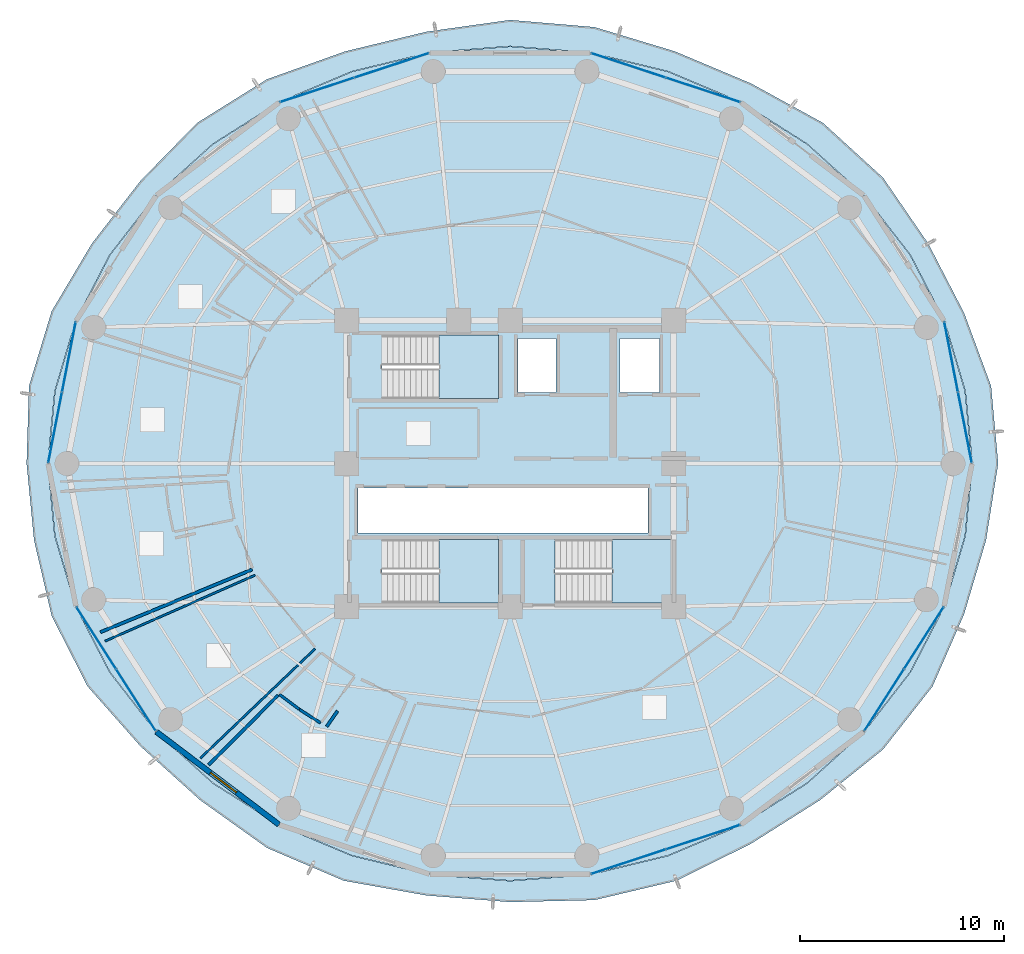
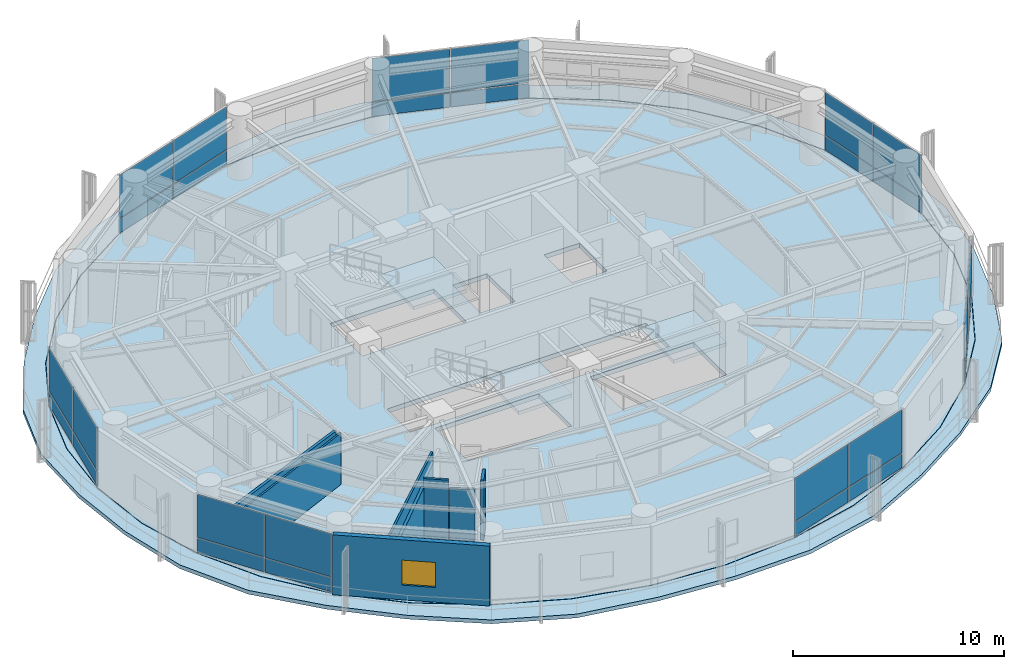
# One storey, part 20 of 27: 28 plates, 8 walls, 5 slabs, 1 window, 1 opening, 10 elements without a shape of their own.
"""IFC4 building model written with IfcOpenShell, lengths in metres."""

from ifc_helpers import new_model, si_unit, direction, frame, frame_2d, origin, origin_2d, place, context, subcontext, project, spatial, polyline, rectangle, outline, extrude, source, transform, mapped, material, layer, layer_set, type_object, element, fill, aggregate, save


model = new_model("IFC4")

# Units and contexts
model_context = context("Model", 3, precision=1e-05, world=origin(), true_north=direction((0.0, 1.0)))
body_context = subcontext(model_context, "Body", "Model", "MODEL_VIEW")
ifc_project = project(units=[si_unit("LENGTHUNIT", "METRE"), si_unit("AREAUNIT", "SQUARE_METRE"), si_unit("VOLUMEUNIT", "CUBIC_METRE"), si_unit("PLANEANGLEUNIT", "RADIAN"), si_unit("MASSUNIT", "GRAM", prefix="KILO")], contexts=[model_context])

# Site, building, storey
site_placement = place(None, origin())
site = spatial("IfcSite", under=ifc_project, at=site_placement, CompositionType="ELEMENT")
building_placement = place(site_placement, origin())
building = spatial("IfcBuilding", under=site, at=building_placement, Name="Kelanora Arch Commons", CompositionType="ELEMENT")
storey_placement = place(building_placement, frame((0.0, 0.0, 154.35009765625)))
storey = spatial("IfcBuildingStorey", under=building, at=storey_placement, Name="L39", CompositionType="ELEMENT", Elevation=154.35009765625)

# Stair, slab
ifc_material_1 = material(Name="Concrete C40/50", Category="concrete")
stair_type = type_object("IfcStairType", Name="STR-DL-375", PredefinedType="HALF_TURN_STAIR", material=ifc_material_1)
stair_1_placement = place(storey_placement, origin())
stair_1 = element("IfcStair", 1, at=stair_1_placement, inside=storey, type_object=stair_type, Name="L39 ST-T1", PredefinedType="HALF_TURN_STAIR")
ifc_layer_1 = layer(ifc_material_1, 0.199951171875)
ifc_layer_set_1 = layer_set([ifc_layer_1], Name="Concrete C40/50")
slab_type_1 = type_object("IfcSlabType", Name="SLB-STAIR-LND", PredefinedType="LANDING", material=ifc_layer_set_1)
slab_1_placement = place(storey_placement, frame((0.0, 0.0, 1.6748046875)))
slab_1 = element("IfcSlab", 2, at=slab_1_placement, type_object=slab_type_1, Name="ST-T1 landing 1", PredefinedType="LANDING", context=body_context, shape_type="SweptSolid", body=[
    extrude(outline(polyline([(70.52001953125, 61.179931640625), (73.43994140625, 61.179931640625), (73.43994140625, 64.2900390625), (70.52001953125, 64.2900390625), (70.52001953125, 61.179931640625)])), origin(), (0.0, 0.0, 1.0), 0.2001953125),
])
aggregate(stair_1, [slab_1])

stair_2_placement = place(storey_placement, origin())
stair_2 = element("IfcStair", 3, at=stair_2_placement, inside=storey, type_object=stair_type, Name="L39 ST-T2", PredefinedType="HALF_TURN_STAIR")
slab_2_placement = place(storey_placement, frame((0.0, 0.0, 1.6748046875)))
slab_2 = element("IfcSlab", 4, at=slab_2_placement, type_object=slab_type_1, Name="ST-T2 landing 1", PredefinedType="LANDING", context=body_context, shape_type="SweptSolid", body=[
    extrude(outline(polyline([(79.0, 51.179931640625), (81.919921875, 51.179931640625), (81.919921875, 54.2900390625), (79.0, 54.2900390625), (79.0, 51.179931640625)])), origin(), (0.0, 0.0, 1.0), 0.2001953125),
])
aggregate(stair_2, [slab_2])

stair_3_placement = place(storey_placement, origin())
stair_3 = element("IfcStair", 5, at=stair_3_placement, inside=storey, type_object=stair_type, Name="L39 ST-T3", PredefinedType="HALF_TURN_STAIR")
slab_3_placement = place(storey_placement, frame((0.0, 0.0, 1.6748046875)))
slab_3 = element("IfcSlab", 6, at=slab_3_placement, type_object=slab_type_1, Name="ST-T3 landing 1", PredefinedType="LANDING", context=body_context, shape_type="SweptSolid", body=[
    extrude(outline(polyline([(70.52001953125, 51.179931640625), (73.43994140625, 51.179931640625), (73.43994140625, 54.2900390625), (70.52001953125, 54.2900390625), (70.52001953125, 51.179931640625)])), origin(), (0.0, 0.0, 1.0), 0.2001953125),
])
aggregate(stair_3, [slab_3])

# Slabs
ifc_layer_2 = layer(ifc_material_1, 0.260009765625)
ifc_layer_set_2 = layer_set([ifc_layer_2], Name="Concrete C40/50")
slab_type_2 = type_object("IfcSlabType", Name="SLB-TWR-TYP", PredefinedType="FLOOR", material=ifc_layer_set_2)
slab_4_placement = place(storey_placement, frame((0.0, 0.0, -0.260009765625)))
element("IfcSlab", 7, at=slab_4_placement, inside=storey, type_object=slab_type_2, Name="Tower Floor Slab L39", PredefinedType="FLOOR", context=body_context, shape_type="SweptSolid", body=[
    extrude(outline(polyline([(96.60009765625, 58.0), (96.256591796875, 61.54248046875), (95.237060546875, 64.977294921875), (93.572265625, 68.199951171875), (91.3125, 71.11279296875), (88.527099609375, 73.627197265625), (85.300048828125, 75.6669921875), (81.729736328125, 77.169677734375), (77.92431640625, 78.090087890625), (74.0, 78.39990234375), (70.07568359375, 78.090087890625), (66.270263671875, 77.169677734375), (62.699951171875, 75.6669921875), (59.472900390625, 73.627197265625), (56.6875, 71.11279296875), (54.427734375, 68.199951171875), (52.762939453125, 64.977294921875), (51.743408203125, 61.54248046875), (51.39990234375, 58.0), (51.743408203125, 54.45751953125), (52.762939453125, 51.022705078125), (54.427734375, 47.800048828125), (56.6875, 44.88720703125), (59.472900390625, 42.372802734375), (62.699951171875, 40.3330078125), (66.270263671875, 38.830322265625), (70.07568359375, 37.909912109375), (74.0, 37.60009765625), (77.92431640625, 37.909912109375), (81.729736328125, 38.830322265625), (85.300048828125, 40.3330078125), (88.527099609375, 42.372802734375), (91.3125, 44.88720703125), (93.572265625, 47.800048828125), (95.237060546875, 51.022705078125), (96.256591796875, 54.45751953125), (96.60009765625, 58.0)]), holes=[polyline([(73.431884765625, 51.18798828125), (67.72802734375, 51.18798828125), (67.72802734375, 54.281982421875), (73.431884765625, 54.281982421875), (73.431884765625, 51.18798828125)]), polyline([(76.2080078125, 51.18798828125), (76.2080078125, 54.281982421875), (81.912109375, 54.281982421875), (81.912109375, 51.18798828125), (76.2080078125, 51.18798828125)]), polyline([(66.550048828125, 54.60009765625), (66.550048828125, 56.800048828125), (80.75, 56.800048828125), (80.75, 54.60009765625), (66.550048828125, 54.60009765625)]), polyline([(73.431884765625, 61.18798828125), (67.72802734375, 61.18798828125), (67.72802734375, 64.281982421875), (73.431884765625, 64.281982421875), (73.431884765625, 61.18798828125)]), polyline([(74.3798828125, 61.47998046875), (74.3798828125, 64.1201171875), (76.260009765625, 64.1201171875), (76.260009765625, 61.47998046875), (74.3798828125, 61.47998046875)]), polyline([(79.3798828125, 61.47998046875), (79.3798828125, 64.1201171875), (81.320068359375, 64.1201171875), (81.320068359375, 61.47998046875), (79.3798828125, 61.47998046875)])]), origin(), (0.0, 0.0, 1.0), 0.260009765625),
])
ifc_layer_3 = layer(ifc_material_1, 0.219970703125)
ifc_layer_set_3 = layer_set([ifc_layer_3], Name="Concrete C40/50")
slab_type_3 = type_object("IfcSlabType", Name="SLB-WAVE-BAL", PredefinedType="FLOOR", material=ifc_layer_set_3)
slab_5_placement = place(storey_placement, frame((0.0, 0.0, -0.22021484375)))
element("IfcSlab", 8, at=slab_5_placement, inside=storey, type_object=slab_type_3, Name="Sinusoidal Wave Balcony Slab L39", PredefinedType="FLOOR", context=body_context, shape_type="SweptSolid", body=[
    extrude(outline(polyline([(97.87890625, 58.0), (97.53369140625, 61.7919921875), (96.2109375, 65.369873046875), (94.456787109375, 68.765869140625), (92.24951171875, 71.983642578125), (89.3125, 74.66455078125), (85.785400390625, 76.59814453125), (82.057373046875, 78.167236328125), (78.12548828125, 79.353271484375), (74.0, 79.701171875), (69.910400390625, 79.126953125), (65.942626953125, 78.167236328125), (62.10888671875, 76.801025390625), (58.6875, 74.66455078125), (55.91845703125, 71.827880859375), (53.543212890625, 68.765869140625), (51.57666015625, 65.45556640625), (50.46630859375, 61.7919921875), (50.35009765625, 58.0), (50.712890625, 54.25634765625), (51.57666015625, 50.54443359375), (53.331787109375, 47.098876953125), (55.91845703125, 44.172119140625), (58.839111328125, 41.53564453125), (62.10888671875, 39.198974609375), (65.8642578125, 37.593994140625), (69.910400390625, 36.873046875), (74.0, 36.550048828125), (78.12548828125, 36.646728515625), (82.1357421875, 37.593994140625), (85.785400390625, 39.40185546875), (89.160888671875, 41.53564453125), (92.24951171875, 44.016357421875), (94.668212890625, 47.098876953125), (96.2109375, 50.630126953125), (97.287109375, 54.25634765625), (97.87890625, 58.0)]), holes=[polyline([(96.2763671875, 54.4541015625), (95.255859375, 51.015869140625), (93.589599609375, 47.7900390625), (91.327880859375, 44.874267578125), (88.539794921875, 42.357421875), (85.31005859375, 40.31591796875), (81.736572265625, 38.8115234375), (77.927978515625, 37.89013671875), (74.0, 37.580078125), (70.072021484375, 37.89013671875), (66.263427734375, 38.8115234375), (62.68994140625, 40.31591796875), (59.460205078125, 42.357421875), (56.672119140625, 44.874267578125), (54.410400390625, 47.7900390625), (52.744140625, 51.015869140625), (51.7236328125, 54.4541015625), (51.3798828125, 58.0), (51.7236328125, 61.5458984375), (52.744140625, 64.984130859375), (54.410400390625, 68.2099609375), (56.672119140625, 71.125732421875), (59.460205078125, 73.642578125), (62.68994140625, 75.68408203125), (66.263427734375, 77.1884765625), (70.072021484375, 78.10986328125), (74.0, 78.419921875), (77.927978515625, 78.10986328125), (81.736572265625, 77.1884765625), (85.31005859375, 75.68408203125), (88.539794921875, 73.642578125), (91.327880859375, 71.125732421875), (93.589599609375, 68.2099609375), (95.255859375, 64.984130859375), (96.2763671875, 61.5458984375), (96.6201171875, 58.0), (96.2763671875, 54.4541015625)])]), origin(), (0.0, 0.0, 1.0), 0.22021484375),
])

# Curtain wall, plates
ifc_material_2 = material(Name="Terracotta ceramic-fritted low-E glass and aluminium", Category="masonry")
ifc_layer_4 = layer(ifc_material_2, 0.175048828125)
ifc_layer_set_4 = layer_set([ifc_layer_4], Name="Terracotta ceramic-fritted low-E glass and aluminium")
curtain_wall_type = type_object("IfcCurtainWallType", Name="CW-SYS-02", PredefinedType="NOTDEFINED", material=ifc_layer_set_4)
curtain_wall_1_placement = place(storey_placement, origin())
curtain_wall_1 = element("IfcCurtainWall", 9, at=curtain_wall_1_placement, inside=storey, type_object=curtain_wall_type, Name="Unitised Curtain Wall L39-B00", PredefinedType="NOTDEFINED")
ifc_material_3 = material(Name="Terracotta ceramic-fritted double glazing", Category="masonry")
ifc_layer_5 = layer(ifc_material_3, 0.028076171875)
ifc_layer_set_5 = layer_set([ifc_layer_5], Name="Terracotta ceramic-fritted double glazing")
plate_type = type_object("IfcPlateType", Name="CWP-FRIT", PredefinedType="CURTAIN_PANEL", material=ifc_layer_set_5)
shared_shape_1 = source(origin(), body_context, "Body", "SweptSolid", [
    extrude(rectangle(XDim=3.449462890625, YDim=0.028076171875, at=origin_2d()), origin(), (0.0, 0.0, 1.0), 0.81005859375),
])
plate_1_placement = place(storey_placement, frame((96.2548828125, 59.766357421875, 0.059814453125), z_axis=(0.0, 0.0, 1.0), x_axis=(-0.191705182375, 0.981452557718, 0.0)))
plate_1 = element("IfcPlate", 10, at=plate_1_placement, type_object=plate_type, Name="CW-02 panel 1.1", PredefinedType="CURTAIN_PANEL", context=body_context, shape_type="MappedRepresentation", body=[
    mapped(shared_shape_1, transform((0.0, 0.0, 0.0), scale=1.0)),
])
plate_2_placement = place(storey_placement, frame((95.58203125, 63.2109375, 0.059814453125), z_axis=(0.0, 0.0, 1.0), x_axis=(-0.191705182375, 0.981452557718, 0.0)))
plate_2 = element("IfcPlate", 11, at=plate_2_placement, type_object=plate_type, Name="CW-02 panel 2.1", PredefinedType="CURTAIN_PANEL", context=body_context, shape_type="MappedRepresentation", body=[
    mapped(shared_shape_1, transform((0.0, 0.0, 0.0), scale=1.0)),
])

curtain_wall_2_placement = place(storey_placement, origin())
curtain_wall_2 = element("IfcCurtainWall", 12, at=curtain_wall_2_placement, inside=storey, type_object=curtain_wall_type, Name="Unitised Curtain Wall L39-B08", PredefinedType="NOTDEFINED")
plate_3_placement = place(storey_placement, frame((52.41796875, 63.2109375, 0.059814453125), z_axis=(0.0, 0.0, 1.0), x_axis=(-0.191705182375, -0.981452557718, 0.0)))
plate_3 = element("IfcPlate", 13, at=plate_3_placement, type_object=plate_type, Name="CW-02 panel 1.1", PredefinedType="CURTAIN_PANEL", context=body_context, shape_type="MappedRepresentation", body=[
    mapped(shared_shape_1, transform((0.0, 0.0, 0.0), scale=1.0)),
])
plate_4_placement = place(storey_placement, frame((51.7451171875, 59.766357421875, 0.059814453125), z_axis=(0.0, 0.0, 1.0), x_axis=(-0.191705182375, -0.981452557718, 0.0)))
plate_4 = element("IfcPlate", 14, at=plate_4_placement, type_object=plate_type, Name="CW-02 panel 2.1", PredefinedType="CURTAIN_PANEL", context=body_context, shape_type="MappedRepresentation", body=[
    mapped(shared_shape_1, transform((0.0, 0.0, 0.0), scale=1.0)),
])

# Plate
shared_shape_2 = source(origin(), body_context, "Body", "SweptSolid", [
    extrude(rectangle(XDim=3.449462890625, YDim=0.028076171875, at=origin_2d()), origin(), (0.0, 0.0, 1.0), 2.485107421875),
])
plate_5_placement = place(storey_placement, frame((96.2548828125, 59.766357421875, 0.9296875), z_axis=(0.0, 0.0, 1.0), x_axis=(-0.191705182375, 0.981452557718, 0.0)))
plate_5 = element("IfcPlate", 15, at=plate_5_placement, type_object=plate_type, Name="CW-02 panel 1.2", PredefinedType="CURTAIN_PANEL", context=body_context, shape_type="MappedRepresentation", body=[
    mapped(shared_shape_2, transform((0.0, 0.0, 0.0), scale=1.0)),
])

plate_6_placement = place(storey_placement, frame((95.58203125, 63.2109375, 0.9296875), z_axis=(0.0, 0.0, 1.0), x_axis=(-0.191705182375, 0.981452557718, 0.0)))
plate_6 = element("IfcPlate", 16, at=plate_6_placement, type_object=plate_type, Name="CW-02 panel 2.2", PredefinedType="CURTAIN_PANEL", context=body_context, shape_type="MappedRepresentation", body=[
    mapped(shared_shape_2, transform((0.0, 0.0, 0.0), scale=1.0)),
])

aggregate(curtain_wall_1, [plate_1, plate_5, plate_2, plate_6])

plate_7_placement = place(storey_placement, frame((52.41796875, 63.2109375, 0.9296875), z_axis=(0.0, 0.0, 1.0), x_axis=(-0.191705182375, -0.981452557718, 0.0)))
plate_7 = element("IfcPlate", 17, at=plate_7_placement, type_object=plate_type, Name="CW-02 panel 1.2", PredefinedType="CURTAIN_PANEL", context=body_context, shape_type="MappedRepresentation", body=[
    mapped(shared_shape_2, transform((0.0, 0.0, 0.0), scale=1.0)),
])

plate_8_placement = place(storey_placement, frame((51.7451171875, 59.766357421875, 0.9296875), z_axis=(0.0, 0.0, 1.0), x_axis=(-0.191705182375, -0.981452557718, 0.0)))
plate_8 = element("IfcPlate", 18, at=plate_8_placement, type_object=plate_type, Name="CW-02 panel 2.2", PredefinedType="CURTAIN_PANEL", context=body_context, shape_type="MappedRepresentation", body=[
    mapped(shared_shape_2, transform((0.0, 0.0, 0.0), scale=1.0)),
])

aggregate(curtain_wall_2, [plate_3, plate_7, plate_4, plate_8])

# Curtain wall, plates
curtain_wall_3_placement = place(storey_placement, origin())
curtain_wall_3 = element("IfcCurtainWall", 19, at=curtain_wall_3_placement, inside=storey, type_object=curtain_wall_type, Name="Unitised Curtain Wall L39-B03", PredefinedType="NOTDEFINED")
shared_shape_3 = source(origin(), body_context, "Body", "SweptSolid", [
    extrude(rectangle(XDim=3.776611328125, YDim=0.028076171875, at=origin_2d()), origin(), (0.0, 0.0, 1.0), 0.81005859375),
])
plate_9_placement = place(storey_placement, frame((83.434814453125, 76.27978515625, 0.059814453125), z_axis=(0.0, 0.0, 1.0), x_axis=(-0.95003996605, 0.312128279571, 0.0)))
plate_9 = element("IfcPlate", 20, at=plate_9_placement, type_object=plate_type, Name="CW-02 panel 1.1", PredefinedType="CURTAIN_PANEL", context=body_context, shape_type="MappedRepresentation", body=[
    mapped(shared_shape_3, transform((0.0, 0.0, 0.0), scale=1.0)),
])
plate_10_placement = place(storey_placement, frame((79.789794921875, 77.477294921875, 0.059814453125), z_axis=(0.0, 0.0, 1.0), x_axis=(-0.95003996605, 0.312128279571, 0.0)))
plate_10 = element("IfcPlate", 21, at=plate_10_placement, type_object=plate_type, Name="CW-02 panel 2.1", PredefinedType="CURTAIN_PANEL", context=body_context, shape_type="MappedRepresentation", body=[
    mapped(shared_shape_3, transform((0.0, 0.0, 0.0), scale=1.0)),
])

curtain_wall_4_placement = place(storey_placement, origin())
curtain_wall_4 = element("IfcCurtainWall", 22, at=curtain_wall_4_placement, inside=storey, type_object=curtain_wall_type, Name="Unitised Curtain Wall L39-B05", PredefinedType="NOTDEFINED")
plate_11_placement = place(storey_placement, frame((68.210205078125, 77.477294921875, 0.059814453125), z_axis=(0.0, 0.0, 1.0), x_axis=(-0.95003996605, -0.312128279571, 0.0)))
plate_11 = element("IfcPlate", 23, at=plate_11_placement, type_object=plate_type, Name="CW-02 panel 1.1", PredefinedType="CURTAIN_PANEL", context=body_context, shape_type="MappedRepresentation", body=[
    mapped(shared_shape_3, transform((0.0, 0.0, 0.0), scale=1.0)),
])
plate_12_placement = place(storey_placement, frame((64.565185546875, 76.27978515625, 0.059814453125), z_axis=(0.0, 0.0, 1.0), x_axis=(-0.95003996605, -0.312128279571, 0.0)))
plate_12 = element("IfcPlate", 24, at=plate_12_placement, type_object=plate_type, Name="CW-02 panel 2.1", PredefinedType="CURTAIN_PANEL", context=body_context, shape_type="MappedRepresentation", body=[
    mapped(shared_shape_3, transform((0.0, 0.0, 0.0), scale=1.0)),
])

curtain_wall_5_placement = place(storey_placement, origin())
curtain_wall_5 = element("IfcCurtainWall", 25, at=curtain_wall_5_placement, inside=storey, type_object=curtain_wall_type, Name="Unitised Curtain Wall L39-B14", PredefinedType="NOTDEFINED")
plate_13_placement = place(storey_placement, frame((79.789794921875, 38.522705078125, 0.059814453125), z_axis=(0.0, 0.0, 1.0), x_axis=(0.95003996605, 0.312128279571, 0.0)))
plate_13 = element("IfcPlate", 26, at=plate_13_placement, type_object=plate_type, Name="CW-02 panel 1.1", PredefinedType="CURTAIN_PANEL", context=body_context, shape_type="MappedRepresentation", body=[
    mapped(shared_shape_3, transform((0.0, 0.0, 0.0), scale=1.0)),
])
plate_14_placement = place(storey_placement, frame((83.434814453125, 39.72021484375, 0.059814453125), z_axis=(0.0, 0.0, 1.0), x_axis=(0.95003996605, 0.312128279571, 0.0)))
plate_14 = element("IfcPlate", 27, at=plate_14_placement, type_object=plate_type, Name="CW-02 panel 2.1", PredefinedType="CURTAIN_PANEL", context=body_context, shape_type="MappedRepresentation", body=[
    mapped(shared_shape_3, transform((0.0, 0.0, 0.0), scale=1.0)),
])

# Plate
shared_shape_4 = source(origin(), body_context, "Body", "SweptSolid", [
    extrude(rectangle(XDim=3.776611328125, YDim=0.028076171875, at=origin_2d()), origin(), (0.0, 0.0, 1.0), 2.485107421875),
])
plate_15_placement = place(storey_placement, frame((83.434814453125, 76.27978515625, 0.9296875), z_axis=(0.0, 0.0, 1.0), x_axis=(-0.95003996605, 0.312128279571, 0.0)))
plate_15 = element("IfcPlate", 28, at=plate_15_placement, type_object=plate_type, Name="CW-02 panel 1.2", PredefinedType="CURTAIN_PANEL", context=body_context, shape_type="MappedRepresentation", body=[
    mapped(shared_shape_4, transform((0.0, 0.0, 0.0), scale=1.0)),
])

plate_16_placement = place(storey_placement, frame((79.789794921875, 77.477294921875, 0.9296875), z_axis=(0.0, 0.0, 1.0), x_axis=(-0.95003996605, 0.312128279571, 0.0)))
plate_16 = element("IfcPlate", 29, at=plate_16_placement, type_object=plate_type, Name="CW-02 panel 2.2", PredefinedType="CURTAIN_PANEL", context=body_context, shape_type="MappedRepresentation", body=[
    mapped(shared_shape_4, transform((0.0, 0.0, 0.0), scale=1.0)),
])

aggregate(curtain_wall_3, [plate_9, plate_15, plate_10, plate_16])

plate_17_placement = place(storey_placement, frame((68.210205078125, 77.477294921875, 0.9296875), z_axis=(0.0, 0.0, 1.0), x_axis=(-0.95003996605, -0.312128279571, 0.0)))
plate_17 = element("IfcPlate", 30, at=plate_17_placement, type_object=plate_type, Name="CW-02 panel 1.2", PredefinedType="CURTAIN_PANEL", context=body_context, shape_type="MappedRepresentation", body=[
    mapped(shared_shape_4, transform((0.0, 0.0, 0.0), scale=1.0)),
])

plate_18_placement = place(storey_placement, frame((64.565185546875, 76.27978515625, 0.9296875), z_axis=(0.0, 0.0, 1.0), x_axis=(-0.95003996605, -0.312128279571, 0.0)))
plate_18 = element("IfcPlate", 31, at=plate_18_placement, type_object=plate_type, Name="CW-02 panel 2.2", PredefinedType="CURTAIN_PANEL", context=body_context, shape_type="MappedRepresentation", body=[
    mapped(shared_shape_4, transform((0.0, 0.0, 0.0), scale=1.0)),
])

aggregate(curtain_wall_4, [plate_11, plate_17, plate_12, plate_18])

plate_19_placement = place(storey_placement, frame((79.789794921875, 38.522705078125, 0.9296875), z_axis=(0.0, 0.0, 1.0), x_axis=(0.95003996605, 0.312128279571, 0.0)))
plate_19 = element("IfcPlate", 32, at=plate_19_placement, type_object=plate_type, Name="CW-02 panel 1.2", PredefinedType="CURTAIN_PANEL", context=body_context, shape_type="MappedRepresentation", body=[
    mapped(shared_shape_4, transform((0.0, 0.0, 0.0), scale=1.0)),
])

plate_20_placement = place(storey_placement, frame((83.434814453125, 39.72021484375, 0.9296875), z_axis=(0.0, 0.0, 1.0), x_axis=(0.95003996605, 0.312128279571, 0.0)))
plate_20 = element("IfcPlate", 33, at=plate_20_placement, type_object=plate_type, Name="CW-02 panel 2.2", PredefinedType="CURTAIN_PANEL", context=body_context, shape_type="MappedRepresentation", body=[
    mapped(shared_shape_4, transform((0.0, 0.0, 0.0), scale=1.0)),
])

aggregate(curtain_wall_5, [plate_13, plate_19, plate_14, plate_20])

# Curtain wall, plates
curtain_wall_6_placement = place(storey_placement, origin())
curtain_wall_6 = element("IfcCurtainWall", 34, at=curtain_wall_6_placement, inside=storey, type_object=curtain_wall_type, Name="Unitised Curtain Wall L39-B10", PredefinedType="NOTDEFINED")
shared_shape_5 = source(origin(), body_context, "Body", "SweptSolid", [
    extrude(rectangle(XDim=3.53662109375, YDim=0.028076171875, at=origin_2d()), origin(), (0.0, 0.0, 1.0), 0.81005859375),
])
plate_21_placement = place(storey_placement, frame((53.756103515625, 49.469970703125, 0.059814453125), z_axis=(0.0, 0.0, 1.0), x_axis=(0.538816988983, -0.842422846546, 0.0)))
plate_21 = element("IfcPlate", 35, at=plate_21_placement, type_object=plate_type, Name="CW-02 panel 1.1", PredefinedType="CURTAIN_PANEL", context=body_context, shape_type="MappedRepresentation", body=[
    mapped(shared_shape_5, transform((0.0, 0.0, 0.0), scale=1.0)),
])
plate_22_placement = place(storey_placement, frame((55.694091796875, 46.43994140625, 0.059814453125), z_axis=(0.0, 0.0, 1.0), x_axis=(0.538816988983, -0.842422846546, 0.0)))
plate_22 = element("IfcPlate", 36, at=plate_22_placement, type_object=plate_type, Name="CW-02 panel 2.1", PredefinedType="CURTAIN_PANEL", context=body_context, shape_type="MappedRepresentation", body=[
    mapped(shared_shape_5, transform((0.0, 0.0, 0.0), scale=1.0)),
])

curtain_wall_7_placement = place(storey_placement, origin())
curtain_wall_7 = element("IfcCurtainWall", 37, at=curtain_wall_7_placement, inside=storey, type_object=curtain_wall_type, Name="Unitised Curtain Wall L39-B16", PredefinedType="NOTDEFINED")
plate_23_placement = place(storey_placement, frame((92.305908203125, 46.43994140625, 0.059814453125), z_axis=(0.0, 0.0, 1.0), x_axis=(0.538816988983, 0.842422846546, 0.0)))
plate_23 = element("IfcPlate", 38, at=plate_23_placement, type_object=plate_type, Name="CW-02 panel 1.1", PredefinedType="CURTAIN_PANEL", context=body_context, shape_type="MappedRepresentation", body=[
    mapped(shared_shape_5, transform((0.0, 0.0, 0.0), scale=1.0)),
])
plate_24_placement = place(storey_placement, frame((94.243896484375, 49.469970703125, 0.059814453125), z_axis=(0.0, 0.0, 1.0), x_axis=(0.538816988983, 0.842422846546, 0.0)))
plate_24 = element("IfcPlate", 39, at=plate_24_placement, type_object=plate_type, Name="CW-02 panel 2.1", PredefinedType="CURTAIN_PANEL", context=body_context, shape_type="MappedRepresentation", body=[
    mapped(shared_shape_5, transform((0.0, 0.0, 0.0), scale=1.0)),
])

# Plate
shared_shape_6 = source(origin(), body_context, "Body", "SweptSolid", [
    extrude(rectangle(XDim=3.53662109375, YDim=0.028076171875, at=origin_2d()), origin(), (0.0, 0.0, 1.0), 2.485107421875),
])
plate_25_placement = place(storey_placement, frame((53.756103515625, 49.469970703125, 0.9296875), z_axis=(0.0, 0.0, 1.0), x_axis=(0.538816988983, -0.842422846546, 0.0)))
plate_25 = element("IfcPlate", 40, at=plate_25_placement, type_object=plate_type, Name="CW-02 panel 1.2", PredefinedType="CURTAIN_PANEL", context=body_context, shape_type="MappedRepresentation", body=[
    mapped(shared_shape_6, transform((0.0, 0.0, 0.0), scale=1.0)),
])

plate_26_placement = place(storey_placement, frame((55.694091796875, 46.43994140625, 0.9296875), z_axis=(0.0, 0.0, 1.0), x_axis=(0.538816988983, -0.842422846546, 0.0)))
plate_26 = element("IfcPlate", 41, at=plate_26_placement, type_object=plate_type, Name="CW-02 panel 2.2", PredefinedType="CURTAIN_PANEL", context=body_context, shape_type="MappedRepresentation", body=[
    mapped(shared_shape_6, transform((0.0, 0.0, 0.0), scale=1.0)),
])

aggregate(curtain_wall_6, [plate_21, plate_25, plate_22, plate_26])

plate_27_placement = place(storey_placement, frame((92.305908203125, 46.43994140625, 0.9296875), z_axis=(0.0, 0.0, 1.0), x_axis=(0.538816988983, 0.842422846546, 0.0)))
plate_27 = element("IfcPlate", 42, at=plate_27_placement, type_object=plate_type, Name="CW-02 panel 1.2", PredefinedType="CURTAIN_PANEL", context=body_context, shape_type="MappedRepresentation", body=[
    mapped(shared_shape_6, transform((0.0, 0.0, 0.0), scale=1.0)),
])

plate_28_placement = place(storey_placement, frame((94.243896484375, 49.469970703125, 0.9296875), z_axis=(0.0, 0.0, 1.0), x_axis=(0.538816988983, 0.842422846546, 0.0)))
plate_28 = element("IfcPlate", 43, at=plate_28_placement, type_object=plate_type, Name="CW-02 panel 2.2", PredefinedType="CURTAIN_PANEL", context=body_context, shape_type="MappedRepresentation", body=[
    mapped(shared_shape_6, transform((0.0, 0.0, 0.0), scale=1.0)),
])

aggregate(curtain_wall_7, [plate_23, plate_27, plate_24, plate_28])

# Walls
ifc_material_4 = material(Name="Autoclaved aerated concrete blockwork with fire plaster", Category="masonry")
ifc_layer_6 = layer(ifc_material_4, 0.14990234375)
ifc_layer_set_6 = layer_set([ifc_layer_6], Name="Autoclaved aerated concrete blockwork with fire plaster")
wall_type_1 = type_object("IfcWallType", Name="W-COMP-150", PredefinedType="PARTITIONING", material=ifc_layer_set_6)
wall_1_placement = place(storey_placement, frame((61.385009765625, 52.816650390625, 0.0), z_axis=(0.0, 0.0, 1.0), x_axis=(-0.924352507704, -0.381539567412, 0.0)))
element("IfcWall", 44, at=wall_1_placement, inside=storey, type_object=wall_type_1, Name="Co-Living Studio L39-04 Enclosure Partition 2", PredefinedType="PARTITIONING", context=body_context, shape_type="SweptSolid", body=[
    extrude(rectangle(XDim=8.036865234375, YDim=0.14990234375, at=frame_2d((4.0185546875, 0.0))), origin(), (0.0, 0.0, 1.0), 2.974853515625),
])
wall_2_placement = place(storey_placement, frame((59.249267578125, 43.25830078125, 0.0), z_axis=(0.0, 0.0, 1.0), x_axis=(0.706293548202, 0.707919079958, 0.0)))
element("IfcWall", 45, at=wall_2_placement, inside=storey, type_object=wall_type_1, Name="Co-Living Studio L39-06 Enclosure Partition 5", PredefinedType="PARTITIONING", context=body_context, shape_type="SweptSolid", body=[
    extrude(rectangle(XDim=4.80615234375, YDim=0.14990234375, at=frame_2d((2.403076171875, 0.0))), origin(), (0.0, 0.0, 1.0), 3.02490234375),
])
wall_3_placement = place(storey_placement, frame((65.03076171875, 45.135986328125, 0.0), z_axis=(0.0, 0.0, 1.0), x_axis=(0.570563407037, 0.821253553143, 0.0)))
element("IfcWall", 46, at=wall_3_placement, inside=storey, type_object=wall_type_1, Name="Co-Living Studio L39-06 Enclosure Partition 7", PredefinedType="PARTITIONING", context=body_context, shape_type="SweptSolid", body=[
    extrude(rectangle(XDim=0.92822265625, YDim=0.14990234375, at=frame_2d((0.464111328125, 0.0))), origin(), (0.0, 0.0, 1.0), 3.47998046875),
])

# Wall, opening, window
ifc_material_5 = material(Name="Precast concrete C40/50 with terracotta rainscreen", Category="masonry")
ifc_layer_7 = layer(ifc_material_5, 0.260009765625)
ifc_layer_set_7 = layer_set([ifc_layer_7], Name="Precast concrete C40/50 with terracotta rainscreen")
wall_type_2 = type_object("IfcWallType", Name="W-EXT-TC", PredefinedType="SOLIDWALL", material=ifc_layer_set_7)
wall_4_placement = place(storey_placement, frame((56.699462890625, 44.8779296875, 0.0), z_axis=(0.0, 0.0, 1.0), x_axis=(0.797163719609, -0.603763202042, 0.0)))
wall_4 = element("IfcWall", 47, at=wall_4_placement, inside=storey, type_object=wall_type_2, Name="Terracotta Exterior Wall L39-B11", PredefinedType="SOLIDWALL", context=body_context, shape_type="SweptSolid", body=[
    extrude(rectangle(XDim=7.51220703125, YDim=0.260009765625, at=frame_2d((3.756103515625, 0.0))), origin(), (0.0, 0.0, 1.0), 3.474853515625),
])
opening_placement = place(wall_4_placement, frame((3.31591796875, 0.0, 0.85009765625)))
opening = element("IfcOpeningElement", 48, at=opening_placement, cuts=wall_4, Name="Opening WN-01", PredefinedType="OPENING", context=body_context, shape_type="SweptSolid", body=[
    extrude(rectangle(XDim=1.60009765625, YDim=1.449951171875, at=frame_2d((0.800048828125, 0.72509765625))), frame((0.0, 0.14013671875, 0.0), z_axis=(0.0, -1.0, 0.0), x_axis=(1.0, 0.0, 0.0)), (0.0, 0.0, 1.0), 0.280029296875),
])
ifc_material_6 = material(Name="Terracotta-anodised aluminium frame with operable low-E glazing", Category="masonry")
window_type = type_object("IfcWindowType", Name="WIN-CL-18", PartitioningType="DOUBLE_PANEL_VERTICAL", PredefinedType="WINDOW", material=ifc_material_6)
window_placement = place(opening_placement, origin())
window = element("IfcWindow", 49, at=window_placement, inside=storey, type_object=window_type, Name="Co-Living Operable Window L39-B11", OverallHeight=1.449951171875, OverallWidth=1.60009765625, PartitioningType="SINGLE_PANEL", PredefinedType="WINDOW", context=body_context, shape_type="SweptSolid", body=[
    extrude(rectangle(XDim=1.60009765625, YDim=1.449951171875, at=frame_2d((0.800048828125, 0.72509765625))), frame((0.0, 0.030029296875, 0.0), z_axis=(0.0, -1.0, 0.0), x_axis=(1.0, 0.0, 0.0)), (0.0, 0.0, 1.0), 0.06005859375),
])
fill(opening, window)

# Walls
ifc_material_7 = material(Name="Lightweight fire-rated acoustic stud partition")
ifc_layer_8 = layer(ifc_material_7, 0.10009765625)
ifc_layer_set_8 = layer_set([ifc_layer_8], Name="Lightweight fire-rated acoustic stud partition")
wall_type_3 = type_object("IfcWallType", Name="W-PART-100", PredefinedType="PARTITIONING", material=ifc_layer_set_8)
wall_5_placement = place(storey_placement, frame((64.466064453125, 48.943359375, 0.0), z_axis=(0.0, 0.0, 1.0), x_axis=(-0.723511266615, -0.690312572014, 0.0)))
element("IfcWall", 50, at=wall_5_placement, inside=storey, type_object=wall_type_3, Name="Social Sky Lounge L39-05 Enclosure Partition 2", PredefinedType="PARTITIONING", context=body_context, shape_type="SweptSolid", body=[
    extrude(rectangle(XDim=7.75830078125, YDim=0.10009765625, at=frame_2d((3.879150390625, 0.0))), origin(), (0.0, 0.0, 1.0), 3.02490234375),
])
wall_6_placement = place(storey_placement, frame((54.185546875, 49.31201171875, 0.0), z_axis=(0.0, 0.0, 1.0), x_axis=(0.915373356269, 0.402606034024, 0.0)))
element("IfcWall", 51, at=wall_6_placement, inside=storey, type_object=wall_type_3, Name="Social Sky Lounge L39-05 Enclosure Partition 4", PredefinedType="PARTITIONING", context=body_context, shape_type="SweptSolid", body=[
    extrude(rectangle(XDim=8.022705078125, YDim=0.10009765625, at=frame_2d((4.01123046875, 0.0))), origin(), (0.0, 0.0, 1.0), 2.974853515625),
])
ifc_material_8 = material(Name="Moisture-resistant fire-rated cement-board plumbing wall")
ifc_layer_9 = layer(ifc_material_8, 0.1298828125)
ifc_layer_set_9 = layer_set([ifc_layer_9], Name="Moisture-resistant fire-rated cement-board plumbing wall")
wall_type_4 = type_object("IfcWallType", Name="W-WET-120", PredefinedType="PLUMBINGWALL", material=ifc_layer_set_9)
wall_7_placement = place(storey_placement, frame((64.727294921875, 45.311767578125, 0.0), z_axis=(0.0, 0.0, 1.0), x_axis=(-0.842330007588, 0.538962112135, 0.0)))
element("IfcWall", 52, at=wall_7_placement, inside=storey, type_object=wall_type_4, Name="En-Suite Shower WC L39-06 Enclosure Partition 4", PredefinedType="PLUMBINGWALL", context=body_context, shape_type="SweptSolid", body=[
    extrude(rectangle(XDim=1.21044921875, YDim=0.1298828125, at=frame_2d((0.605224609375, 0.0))), origin(), (0.0, 0.0, 1.0), 2.974853515625),
])
wall_8_placement = place(storey_placement, frame((63.675048828125, 45.987060546875, 0.0), z_axis=(0.0, 0.0, 1.0), x_axis=(-0.8, 0.6, 0.0)))
element("IfcWall", 53, at=wall_8_placement, inside=storey, type_object=wall_type_4, Name="En-Suite Shower WC L39-06 Enclosure Partition 5", PredefinedType="PLUMBINGWALL", context=body_context, shape_type="SweptSolid", body=[
    extrude(rectangle(XDim=1.199951171875, YDim=0.1298828125, at=frame_2d((0.60009765625, 0.0))), origin(), (0.0, 0.0, 1.0), 3.47998046875),
])

save(model, "model.ifc")
